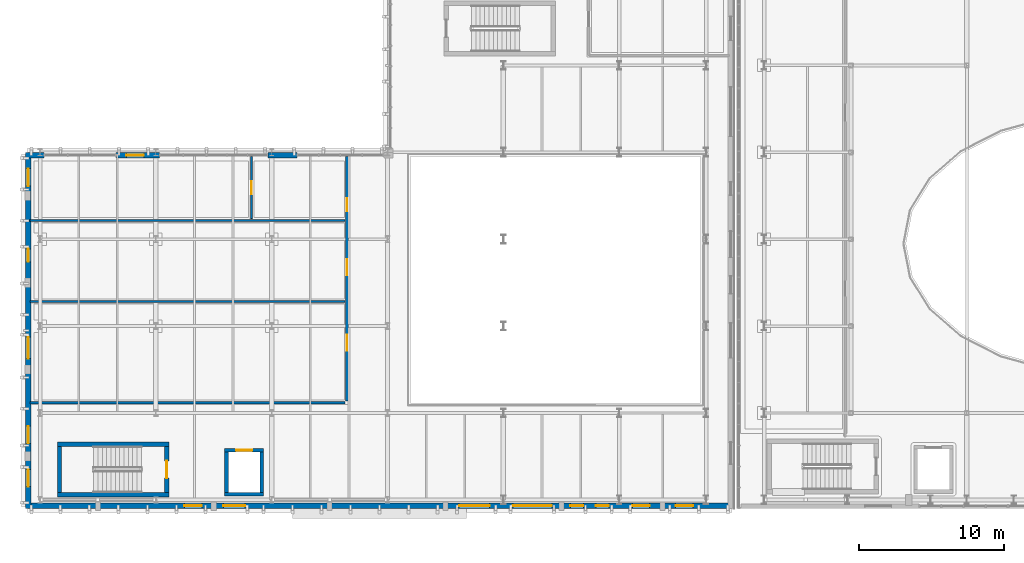
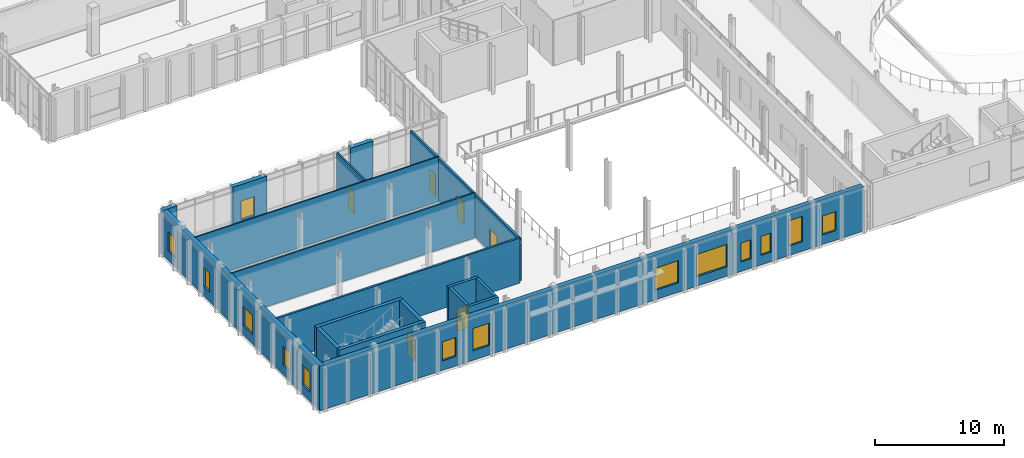
# One storey, part 65 of 100: 18 walls, 14 windows, 6 doors, 20 openings.
"""IFC4 building model written with IfcOpenShell, lengths in metres."""

import ifcopenshell
import ifcopenshell.guid

model = None  # the IFC model being written
_history = None  # IfcOwnerHistory: only IFC2X3 demands one
_inside = {}  # id of a spatial element -> (the spatial element, [elements in it])
_under = {}  # id of a project, library or spatial element -> (it, [spatial elements below it])
_declared = {}  # id of a project -> (the project, [libraries it declares])
_typed = {}  # id of a type object -> (the type object, [elements of that type])
_made_of = {}  # id of a material, layer set ... -> (it, [elements and type objects made of it])


def new_model(schema):
    """Start an empty IFC model of exactly this schema.

    Asked for "IFC4X3", IfcOpenShell would pick the latest addendum, in which some entities
    have other attributes; the version numbers below select the first issue.
    IFC2X3 requires an IfcOwnerHistory on every rooted entity: one is made here for all.
    """
    global model, _history
    if schema == "IFC4X3":
        model = ifcopenshell.file(schema_version=(4, 3, 0, 0))
    else:
        model = ifcopenshell.file(schema=schema)
    _inside.clear()
    _under.clear()
    _declared.clear()
    _typed.clear()
    _made_of.clear()
    _history = None
    if model.schema == "IFC2X3":
        org = make("IfcOrganization", Name="unknown")
        user = make(
            "IfcPersonAndOrganization",
            ThePerson=make("IfcPerson", FamilyName="unknown"),
            TheOrganization=org,
        )
        app = make(
            "IfcApplication",
            ApplicationDeveloper=org,
            Version="unknown",
            ApplicationFullName="unknown",
            ApplicationIdentifier="unknown",
        )
        _history = make(
            "IfcOwnerHistory",
            OwningUser=user,
            OwningApplication=app,
            ChangeAction="ADDED",
            CreationDate=0,
        )
    return model


def make(cls, **values):
    """One entity of the class cls with the attributes given. An attribute that is None is left unset."""
    return model.create_entity(
        cls, **{name: value for name, value in values.items() if value is not None}
    )


def rooted(cls, **values):
    """An entity with a GlobalId (a new one), such as an element, a storey or a relation."""
    return make(cls, GlobalId=ifcopenshell.guid.new(), OwnerHistory=_history, **values)


def si_unit(unit_type, name, prefix=None):
    """IfcSIUnit, for example si_unit("LENGTHUNIT", "METRE", prefix="MILLI")."""
    return make("IfcSIUnit", UnitType=unit_type, Prefix=prefix, Name=name)


def assignment(units):
    """IfcUnitAssignment: the units of a project."""
    return None if units is None else make("IfcUnitAssignment", Units=units)


def point(xyz):
    """IfcCartesianPoint."""
    return None if xyz is None else make("IfcCartesianPoint", Coordinates=xyz)


def direction(xyz):
    """IfcDirection."""
    return None if xyz is None else make("IfcDirection", DirectionRatios=xyz)


def frame(location, z_axis=None, x_axis=None):
    """IfcAxis2Placement3D, a coordinate frame: its origin and axes. An axis left out is left unset."""
    return make(
        "IfcAxis2Placement3D",
        Location=point(location),
        Axis=direction(z_axis),
        RefDirection=direction(x_axis),
    )


def frame_2d(location, x_axis=None):
    """IfcAxis2Placement2D, a coordinate frame in the plane: its origin and x axis."""
    return make(
        "IfcAxis2Placement2D", Location=point(location), RefDirection=direction(x_axis)
    )


def origin():
    """The frame at (0, 0, 0) with its axes left unset."""
    return frame((0.0, 0.0, 0.0))


def place(relative_to, where):
    """IfcLocalPlacement: puts the frame where relative to a parent placement (None: the world)."""
    return make(
        "IfcLocalPlacement", PlacementRelTo=relative_to, RelativePlacement=where
    )


def context(
    kind, dimensions, precision=None, world=None, true_north=None, identifier=None
):
    """IfcGeometricRepresentationContext, for example the 3D "Model" context."""
    return make(
        "IfcGeometricRepresentationContext",
        ContextIdentifier=identifier,
        ContextType=kind,
        CoordinateSpaceDimension=dimensions,
        Precision=precision,
        WorldCoordinateSystem=world,
        TrueNorth=true_north,
    )


def subcontext(parent, identifier, kind, view, scale=None):
    """IfcGeometricRepresentationSubContext, for example "Body" below "Model"."""
    return make(
        "IfcGeometricRepresentationSubContext",
        ContextIdentifier=identifier,
        ContextType=kind,
        ParentContext=parent,
        TargetScale=scale,
        TargetView=view,
    )


def project(units=None, contexts=None):
    """IfcProject with its units and contexts."""
    return rooted(
        "IfcProject",
        Name="project",
        RepresentationContexts=contexts,
        UnitsInContext=assignment(units),
    )


def spatial(cls, under=None, at=None, **own):
    """A site, building, storey or space (cls), placed at a placement, below another one or the project."""
    s = rooted(cls, ObjectPlacement=at, **own)
    if under is not None:
        _under.setdefault(under.id(), (under, []))[1].append(s)
    return s


def profile(cls, at=None, kind="AREA", **sizes):
    """A parametric profile (cls). Its sizes go by their IFC names, for example OverallWidth=200.0."""
    return make(cls, ProfileType=kind, Position=at, **sizes)


def rectangle(**sizes):
    """IfcRectangleProfileDef."""
    return profile("IfcRectangleProfileDef", **sizes)


def extrude(swept, where, along, depth):
    """IfcExtrudedAreaSolid: the profile swept, set in the frame where, extruded along a direction by depth."""
    return make(
        "IfcExtrudedAreaSolid",
        SweptArea=swept,
        Position=where,
        ExtrudedDirection=direction(along),
        Depth=depth,
    )


def shape(context_of_items, identifier, shape_type, items):
    """IfcShapeRepresentation: the items that make up one representation, for example the "Body"."""
    return make(
        "IfcShapeRepresentation",
        ContextOfItems=context_of_items,
        RepresentationIdentifier=identifier,
        RepresentationType=shape_type,
        Items=items,
    )


def material(Name=None, Category=None):
    """IfcMaterial."""
    return make("IfcMaterial", Name=Name, Category=Category)


def layer(
    of_material, thickness, ventilated=None, Name=None, Category=None, Priority=None
):
    """IfcMaterialLayer: one layer of a wall or slab, of a material (None: an air gap)."""
    return make(
        "IfcMaterialLayer",
        Material=of_material,
        LayerThickness=thickness,
        IsVentilated=ventilated,
        Name=Name,
        Category=Category,
        Priority=Priority,
    )


def layer_set(layers, Name=None):
    """IfcMaterialLayerSet."""
    return make("IfcMaterialLayerSet", MaterialLayers=layers, LayerSetName=Name)


def made_of(thing, what):
    """Note that an element or type object is made of a material, layer set ...; save() writes the relation."""
    if what is not None:
        _made_of.setdefault(what.id(), (what, []))[1].append(thing)
    return thing


def type_object(cls, material=None, **own):
    """A type object (cls), such as IfcWallType, which elements share."""
    return made_of(rooted(cls, **own), material)


def element(
    cls,
    number,
    at=None,
    inside=None,
    cuts=None,
    type_object=None,
    material=None,
    context=None,
    identifier="Body",
    shape_type=None,
    held_by="IfcProductDefinitionShape",
    body=None,
    shapes=None,
    **own,
):
    """One element of the class cls, such as IfcWall. Its Tag is "e" and its number.

    at: its placement. inside: the storey or other place that contains it. cuts: it is an
    opening in that element (IfcRelVoidsElement). A single representation is given by context,
    identifier, shape_type and body (its items); several are given by shapes. held_by: the class
    of the entity that holds the representations. save() writes the other relations.
    """
    e = rooted(cls, Tag="e%d" % number, ObjectPlacement=at, **own)
    if body is not None:
        shapes = [shape(context, identifier, shape_type, body)]
    if shapes is not None:
        e.Representation = make(held_by, Representations=shapes)
    if inside is not None:
        _inside.setdefault(inside.id(), (inside, []))[1].append(e)
    if cuts is not None:
        rooted(
            "IfcRelVoidsElement", RelatingBuildingElement=cuts, RelatedOpeningElement=e
        )
    if type_object is not None:
        _typed.setdefault(type_object.id(), (type_object, []))[1].append(e)
    return made_of(e, material)


def fill(opening, filler):
    """IfcRelFillsElement: the door or window that sits in an opening."""
    return rooted(
        "IfcRelFillsElement",
        RelatingOpeningElement=opening,
        RelatedBuildingElement=filler,
    )


def aggregate(whole, parts):
    """IfcRelAggregates: a whole, such as a stair, and the parts it consists of."""
    return rooted("IfcRelAggregates", RelatingObject=whole, RelatedObjects=parts)


def save(model, path):
    """Write the relations noted so far, then the file.

    IfcRelAggregates (storeys below a building ...), IfcRelContainedInSpatialStructure (elements
    in a storey), IfcRelDefinesByType, IfcRelAssociatesMaterial and IfcRelDeclares: one each for
    every whole, place, type object, material and project.
    """
    for whole, parts in _under.values():
        aggregate(whole, parts)
    for where, things in _inside.values():
        rooted(
            "IfcRelContainedInSpatialStructure",
            RelatedElements=things,
            RelatingStructure=where,
        )
    for kind, things in _typed.values():
        rooted("IfcRelDefinesByType", RelatedObjects=things, RelatingType=kind)
    for what, things in _made_of.values():
        rooted("IfcRelAssociatesMaterial", RelatedObjects=things, RelatingMaterial=what)
    for by, libraries in _declared.values():
        rooted("IfcRelDeclares", RelatingContext=by, RelatedDefinitions=libraries)
    model.write(path)


model = new_model("IFC4")

# Units and contexts
model_context = context("Model", 3, precision=1e-05, world=origin(), true_north=direction((0.0, 1.0)))
body_context = subcontext(model_context, "Body", "Model", "MODEL_VIEW")
ifc_project = project(units=[si_unit("LENGTHUNIT", "METRE"), si_unit("AREAUNIT", "SQUARE_METRE"), si_unit("VOLUMEUNIT", "CUBIC_METRE"), si_unit("PLANEANGLEUNIT", "RADIAN"), si_unit("MASSUNIT", "GRAM", prefix="KILO")], contexts=[model_context])

# Site, building, storey
site_placement = place(None, origin())
site = spatial("IfcSite", under=ifc_project, at=site_placement, CompositionType="ELEMENT")
building_placement = place(site_placement, origin())
building = spatial("IfcBuilding", under=site, at=building_placement, Name="Cymarion Research Institute", CompositionType="ELEMENT")
storey_placement = place(building_placement, frame((0.0, 0.0, 4.800048828125)))
storey = spatial("IfcBuildingStorey", under=building, at=storey_placement, Name="L01", CompositionType="ELEMENT", Elevation=4.800048828125)

# Wall, openings, windows
ifc_material_1 = material(Name="Precast concrete C40/50", Category="concrete")
ifc_layer_1 = layer(ifc_material_1, 0.3798828125)
ifc_layer_set_1 = layer_set([ifc_layer_1], Name="Precast concrete C40/50")
wall_type_1 = type_object("IfcWallType", Name="EXTERIOR WALL EW-PC380 380MM", PredefinedType="SOLIDWALL", material=ifc_layer_set_1)
wall_1_placement = place(storey_placement, frame((5.9619140625, 5.090087890625, 0.0), z_axis=(0.0, 0.0, 1.0), x_axis=(1.0, 0.0, 0.0)))
wall_1 = element("IfcWall", 1, at=wall_1_placement, inside=storey, type_object=wall_type_1, Name="L01 V3 exterior wall EW-PC380 #102", PredefinedType="SOLIDWALL", context=body_context, shape_type="SweptSolid", body=[
    extrude(rectangle(XDim=48.176025390625, YDim=0.3798828125, at=frame_2d((24.087890625, 0.0))), origin(), (0.0, 0.0, 1.0), 4.25),
])
opening_1_placement = place(wall_1_placement, frame((10.614013671875, 0.0, 0.89990234375)))
opening_1 = element("IfcOpeningElement", 2, at=opening_1_placement, cuts=wall_1, Name="Opening W01", PredefinedType="OPENING", context=body_context, shape_type="SweptSolid", body=[
    extrude(rectangle(XDim=1.199951171875, YDim=1.800048828125, at=frame_2d((0.60009765625, 0.89990234375))), frame((0.0, 0.199951171875, 0.0), z_axis=(0.0, -1.0, 0.0), x_axis=(1.0, 0.0, 0.0)), (0.0, 0.0, 1.0), 0.39990234375),
])
opening_2_placement = place(wall_1_placement, frame((13.30810546875, 0.0, 0.89990234375)))
opening_2 = element("IfcOpeningElement", 3, at=opening_2_placement, cuts=wall_1, Name="Opening W09", PredefinedType="OPENING", context=body_context, shape_type="SweptSolid", body=[
    extrude(rectangle(XDim=1.5, YDim=2.10009765625, at=frame_2d((0.75, 1.050048828125))), frame((0.0, 0.199951171875, 0.0), z_axis=(0.0, -1.0, 0.0), x_axis=(1.0, 0.0, 0.0)), (0.0, 0.0, 1.0), 0.39990234375),
])
opening_3_placement = place(wall_1_placement, frame((29.587890625, 0.0, 0.89990234375)))
opening_3 = element("IfcOpeningElement", 4, at=opening_3_placement, cuts=wall_1, Name="Opening W11", PredefinedType="OPENING", context=body_context, shape_type="SweptSolid", body=[
    extrude(rectangle(XDim=2.10009765625, YDim=2.10009765625, at=frame_2d((1.050048828125, 1.050048828125))), frame((0.0, 0.199951171875, 0.0), z_axis=(0.0, -1.0, 0.0), x_axis=(1.0, 0.0, 0.0)), (0.0, 0.0, 1.0), 0.39990234375),
])
opening_4_placement = place(wall_1_placement, frame((33.2880859375, 0.0, 0.89990234375)))
opening_4 = element("IfcOpeningElement", 5, at=opening_4_placement, cuts=wall_1, Name="Opening W13", PredefinedType="OPENING", context=body_context, shape_type="SweptSolid", body=[
    extrude(rectangle(XDim=2.699951171875, YDim=2.10009765625, at=frame_2d((1.35009765625, 1.050048828125))), frame((0.0, 0.199951171875, 0.0), z_axis=(0.0, -1.0, 0.0), x_axis=(1.0, 0.0, 0.0)), (0.0, 0.0, 1.0), 0.39990234375),
])
opening_5_placement = place(wall_1_placement, frame((37.258056640625, 0.0, 0.89990234375)))
opening_5 = element("IfcOpeningElement", 6, at=opening_5_placement, cuts=wall_1, Name="Opening W24", PredefinedType="OPENING", context=body_context, shape_type="SweptSolid", body=[
    extrude(rectangle(XDim=0.89990234375, YDim=1.800048828125, at=frame_2d((0.449951171875, 0.89990234375))), frame((0.0, 0.199951171875, 0.0), z_axis=(0.0, -1.0, 0.0), x_axis=(1.0, 0.0, 0.0)), (0.0, 0.0, 1.0), 0.39990234375),
])
opening_6_placement = place(wall_1_placement, frame((39.01806640625, 0.0, 0.89990234375)))
opening_6 = element("IfcOpeningElement", 7, at=opening_6_placement, cuts=wall_1, Name="Opening W24", PredefinedType="OPENING", context=body_context, shape_type="SweptSolid", body=[
    extrude(rectangle(XDim=0.89990234375, YDim=1.800048828125, at=frame_2d((0.449951171875, 0.89990234375))), frame((0.0, 0.199951171875, 0.0), z_axis=(0.0, -1.0, 0.0), x_axis=(1.0, 0.0, 0.0)), (0.0, 0.0, 1.0), 0.39990234375),
])
opening_7_placement = place(wall_1_placement, frame((41.5380859375, 0.0, 0.89990234375)))
opening_7 = element("IfcOpeningElement", 8, at=opening_7_placement, cuts=wall_1, Name="Opening W19", PredefinedType="OPENING", context=body_context, shape_type="SweptSolid", body=[
    extrude(rectangle(XDim=1.199951171875, YDim=2.39990234375, at=frame_2d((0.60009765625, 1.199951171875))), frame((0.0, 0.199951171875, 0.0), z_axis=(0.0, -1.0, 0.0), x_axis=(1.0, 0.0, 0.0)), (0.0, 0.0, 1.0), 0.39990234375),
])
opening_8_placement = place(wall_1_placement, frame((44.5380859375, 0.0, 0.89990234375)))
opening_8 = element("IfcOpeningElement", 9, at=opening_8_placement, cuts=wall_1, Name="Opening W01", PredefinedType="OPENING", context=body_context, shape_type="SweptSolid", body=[
    extrude(rectangle(XDim=1.199951171875, YDim=1.800048828125, at=frame_2d((0.60009765625, 0.89990234375))), frame((0.0, 0.199951171875, 0.0), z_axis=(0.0, -1.0, 0.0), x_axis=(1.0, 0.0, 0.0)), (0.0, 0.0, 1.0), 0.39990234375),
])
ifc_material_2 = material(Name="Thermally broken aluminium window with Low-E glazing", Category="aluminium")
window_type_1 = type_object("IfcWindowType", Name="THERMALLY BROKEN ALUMINIUM WINDOW W01 1200X1800", PartitioningType="SINGLE_PANEL", PredefinedType="WINDOW", material=ifc_material_2)
window_1_placement = place(opening_1_placement, origin())
window_1 = element("IfcWindow", 10, at=window_1_placement, inside=storey, type_object=window_type_1, Name="L01 V3 facade window W01 #175", OverallHeight=1.800048828125, OverallWidth=1.199951171875, PartitioningType="SINGLE_PANEL", PredefinedType="WINDOW", context=body_context, shape_type="SweptSolid", body=[
    extrude(rectangle(XDim=1.199951171875, YDim=1.800048828125, at=frame_2d((0.60009765625, 0.89990234375))), frame((0.0, 0.030029296875, 0.0), z_axis=(0.0, -1.0, 0.0), x_axis=(1.0, 0.0, 0.0)), (0.0, 0.0, 1.0), 0.06005859375),
])
fill(opening_1, window_1)
window_2_placement = place(opening_8_placement, origin())
window_2 = element("IfcWindow", 11, at=window_2_placement, inside=storey, type_object=window_type_1, Name="L01 V3 facade window W01 #182", OverallHeight=1.800048828125, OverallWidth=1.199951171875, PartitioningType="SINGLE_PANEL", PredefinedType="WINDOW", context=body_context, shape_type="SweptSolid", body=[
    extrude(rectangle(XDim=1.199951171875, YDim=1.800048828125, at=frame_2d((0.60009765625, 0.89990234375))), frame((0.0, 0.030029296875, 0.0), z_axis=(0.0, -1.0, 0.0), x_axis=(1.0, 0.0, 0.0)), (0.0, 0.0, 1.0), 0.06005859375),
])
fill(opening_8, window_2)
window_type_2 = type_object("IfcWindowType", Name="THERMALLY BROKEN ALUMINIUM WINDOW W09 1500X2100", PartitioningType="DOUBLE_PANEL_VERTICAL", PredefinedType="WINDOW", material=ifc_material_2)
window_3_placement = place(opening_2_placement, origin())
window_3 = element("IfcWindow", 12, at=window_3_placement, inside=storey, type_object=window_type_2, Name="L01 V3 facade window W09 #176", OverallHeight=2.10009765625, OverallWidth=1.5, PartitioningType="SINGLE_PANEL", PredefinedType="WINDOW", context=body_context, shape_type="SweptSolid", body=[
    extrude(rectangle(XDim=1.5, YDim=2.10009765625, at=frame_2d((0.75, 1.050048828125))), frame((0.0, 0.030029296875, 0.0), z_axis=(0.0, -1.0, 0.0), x_axis=(1.0, 0.0, 0.0)), (0.0, 0.0, 1.0), 0.06005859375),
])
fill(opening_2, window_3)
window_type_3 = type_object("IfcWindowType", Name="THERMALLY BROKEN ALUMINIUM WINDOW W11 2100X2100", PartitioningType="DOUBLE_PANEL_VERTICAL", PredefinedType="WINDOW", material=ifc_material_2)
window_4_placement = place(opening_3_placement, origin())
window_4 = element("IfcWindow", 13, at=window_4_placement, inside=storey, type_object=window_type_3, Name="L01 V3 facade window W11 #177", OverallHeight=2.10009765625, OverallWidth=2.10009765625, PartitioningType="SINGLE_PANEL", PredefinedType="WINDOW", context=body_context, shape_type="SweptSolid", body=[
    extrude(rectangle(XDim=2.10009765625, YDim=2.10009765625, at=frame_2d((1.050048828125, 1.050048828125))), frame((0.0, 0.030029296875, 0.0), z_axis=(0.0, -1.0, 0.0), x_axis=(1.0, 0.0, 0.0)), (0.0, 0.0, 1.0), 0.06005859375),
])
fill(opening_3, window_4)
window_type_4 = type_object("IfcWindowType", Name="THERMALLY BROKEN ALUMINIUM WINDOW W13 2700X2100", PartitioningType="TRIPLE_PANEL_VERTICAL", PredefinedType="WINDOW", material=ifc_material_2)
window_5_placement = place(opening_4_placement, origin())
window_5 = element("IfcWindow", 14, at=window_5_placement, inside=storey, type_object=window_type_4, Name="L01 V3 facade window W13 #178", OverallHeight=2.10009765625, OverallWidth=2.699951171875, PartitioningType="SINGLE_PANEL", PredefinedType="WINDOW", context=body_context, shape_type="SweptSolid", body=[
    extrude(rectangle(XDim=2.699951171875, YDim=2.10009765625, at=frame_2d((1.35009765625, 1.050048828125))), frame((0.0, 0.030029296875, 0.0), z_axis=(0.0, -1.0, 0.0), x_axis=(1.0, 0.0, 0.0)), (0.0, 0.0, 1.0), 0.06005859375),
])
fill(opening_4, window_5)
window_type_5 = type_object("IfcWindowType", Name="THERMALLY BROKEN ALUMINIUM WINDOW W19 1200X2400", PartitioningType="SINGLE_PANEL", PredefinedType="WINDOW", material=ifc_material_2)
window_6_placement = place(opening_7_placement, origin())
window_6 = element("IfcWindow", 15, at=window_6_placement, inside=storey, type_object=window_type_5, Name="L01 V3 facade window W19 #181", OverallHeight=2.39990234375, OverallWidth=1.199951171875, PartitioningType="SINGLE_PANEL", PredefinedType="WINDOW", context=body_context, shape_type="SweptSolid", body=[
    extrude(rectangle(XDim=1.199951171875, YDim=2.39990234375, at=frame_2d((0.60009765625, 1.199951171875))), frame((0.0, 0.030029296875, 0.0), z_axis=(0.0, -1.0, 0.0), x_axis=(1.0, 0.0, 0.0)), (0.0, 0.0, 1.0), 0.06005859375),
])
fill(opening_7, window_6)
window_type_6 = type_object("IfcWindowType", Name="THERMALLY BROKEN ALUMINIUM WINDOW W24 900X1800", PartitioningType="SINGLE_PANEL", PredefinedType="WINDOW", material=ifc_material_2)
window_7_placement = place(opening_5_placement, origin())
window_7 = element("IfcWindow", 16, at=window_7_placement, inside=storey, type_object=window_type_6, Name="L01 V3 facade window W24 #179", OverallHeight=1.800048828125, OverallWidth=0.89990234375, PartitioningType="SINGLE_PANEL", PredefinedType="WINDOW", context=body_context, shape_type="SweptSolid", body=[
    extrude(rectangle(XDim=0.89990234375, YDim=1.800048828125, at=frame_2d((0.449951171875, 0.89990234375))), frame((0.0, 0.030029296875, 0.0), z_axis=(0.0, -1.0, 0.0), x_axis=(1.0, 0.0, 0.0)), (0.0, 0.0, 1.0), 0.06005859375),
])
fill(opening_5, window_7)
window_8_placement = place(opening_6_placement, origin())
window_8 = element("IfcWindow", 17, at=window_8_placement, inside=storey, type_object=window_type_6, Name="L01 V3 facade window W24 #180", OverallHeight=1.800048828125, OverallWidth=0.89990234375, PartitioningType="SINGLE_PANEL", PredefinedType="WINDOW", context=body_context, shape_type="SweptSolid", body=[
    extrude(rectangle(XDim=0.89990234375, YDim=1.800048828125, at=frame_2d((0.449951171875, 0.89990234375))), frame((0.0, 0.030029296875, 0.0), z_axis=(0.0, -1.0, 0.0), x_axis=(1.0, 0.0, 0.0)), (0.0, 0.0, 1.0), 0.06005859375),
])
fill(opening_6, window_8)

# Wall
wall_2_placement = place(storey_placement, frame((24.35009765625, 29.31005859375, 0.0), z_axis=(0.0, 0.0, 1.0), x_axis=(-1.0, 0.0, 0.0)))
element("IfcWall", 18, at=wall_2_placement, inside=storey, type_object=wall_type_1, Name="L01 V3 facade pier wall EW-PC380 #107", PredefinedType="SOLIDWALL", context=body_context, shape_type="SweptSolid", body=[
    extrude(rectangle(XDim=2.010009765625, YDim=0.3798828125, at=frame_2d((1.0048828125, 0.0))), origin(), (0.0, 0.0, 1.0), 4.25),
])

# Wall, opening, window
wall_3_placement = place(storey_placement, frame((14.860107421875, 29.31005859375, 0.0), z_axis=(0.0, 0.0, 1.0), x_axis=(-1.0, 0.0, 0.0)))
wall_3 = element("IfcWall", 19, at=wall_3_placement, inside=storey, type_object=wall_type_1, Name="L01 V3 facade pier wall EW-PC380 #108", PredefinedType="SOLIDWALL", context=body_context, shape_type="SweptSolid", body=[
    extrude(rectangle(XDim=3.010009765625, YDim=0.3798828125, at=frame_2d((1.5048828125, 0.0))), origin(), (0.0, 0.0, 1.0), 4.25),
])
opening_9_placement = place(wall_3_placement, frame((1.094970703125, 0.0, 0.89990234375)))
opening_9 = element("IfcOpeningElement", 20, at=opening_9_placement, cuts=wall_3, Name="Opening W01", PredefinedType="OPENING", context=body_context, shape_type="SweptSolid", body=[
    extrude(rectangle(XDim=1.199951171875, YDim=1.800048828125, at=frame_2d((0.60009765625, 0.89990234375))), frame((0.0, 0.199951171875, 0.0), z_axis=(0.0, -1.0, 0.0), x_axis=(1.0, 0.0, 0.0)), (0.0, 0.0, 1.0), 0.39990234375),
])
window_9_placement = place(opening_9_placement, origin())
window_9 = element("IfcWindow", 21, at=window_9_placement, inside=storey, type_object=window_type_1, Name="L01 V3 facade window W01 #194", OverallHeight=1.800048828125, OverallWidth=1.199951171875, PartitioningType="SINGLE_PANEL", PredefinedType="WINDOW", context=body_context, shape_type="SweptSolid", body=[
    extrude(rectangle(XDim=1.199951171875, YDim=1.800048828125, at=frame_2d((0.60009765625, 0.89990234375))), frame((0.0, 0.030029296875, 0.0), z_axis=(0.0, -1.0, 0.0), x_axis=(1.0, 0.0, 0.0)), (0.0, 0.0, 1.0), 0.06005859375),
])
fill(opening_9, window_9)

# Wall
wall_4_placement = place(storey_placement, frame((6.860107421875, 29.31005859375, 0.0), z_axis=(0.0, 0.0, 1.0), x_axis=(-1.0, 0.0, 0.0)))
element("IfcWall", 22, at=wall_4_placement, inside=storey, type_object=wall_type_1, Name="L01 V3 facade pier wall EW-PC380 #109", PredefinedType="SOLIDWALL", context=body_context, shape_type="SweptSolid", body=[
    extrude(rectangle(XDim=1.260009765625, YDim=0.3798828125, at=frame_2d((0.6298828125, 0.0))), origin(), (0.0, 0.0, 1.0), 4.25),
])

# Wall, openings, windows
wall_5_placement = place(storey_placement, frame((5.7900390625, 29.137939453125, 0.0), z_axis=(0.0, 0.0, 1.0), x_axis=(0.0, -1.0, 0.0)))
wall_5 = element("IfcWall", 23, at=wall_5_placement, inside=storey, type_object=wall_type_1, Name="L01 V3 exterior wall EW-PC380 #110", PredefinedType="SOLIDWALL", context=body_context, shape_type="SweptSolid", body=[
    extrude(rectangle(XDim=24.238037109375, YDim=0.3798828125, at=frame_2d((12.119140625, 0.0))), origin(), (0.0, 0.0, 1.0), 4.25),
])
opening_10_placement = place(wall_5_placement, frame((0.76904296875, 0.0, 0.89990234375)))
opening_10 = element("IfcOpeningElement", 24, at=opening_10_placement, cuts=wall_5, Name="Opening W01", PredefinedType="OPENING", context=body_context, shape_type="SweptSolid", body=[
    extrude(rectangle(XDim=1.199951171875, YDim=1.800048828125, at=frame_2d((0.60009765625, 0.89990234375))), frame((0.0, 0.199951171875, 0.0), z_axis=(0.0, -1.0, 0.0), x_axis=(1.0, 0.0, 0.0)), (0.0, 0.0, 1.0), 0.39990234375),
])
opening_11_placement = place(wall_5_placement, frame((6.30810546875, 0.0, 0.89990234375)))
opening_11 = element("IfcOpeningElement", 25, at=opening_11_placement, cuts=wall_5, Name="Opening W24", PredefinedType="OPENING", context=body_context, shape_type="SweptSolid", body=[
    extrude(rectangle(XDim=0.89990234375, YDim=1.800048828125, at=frame_2d((0.449951171875, 0.89990234375))), frame((0.0, 0.199951171875, 0.0), z_axis=(0.0, -1.0, 0.0), x_axis=(1.0, 0.0, 0.0)), (0.0, 0.0, 1.0), 0.39990234375),
])
opening_12_placement = place(wall_5_placement, frame((12.387939453125, 0.0, 0.89990234375)))
opening_12 = element("IfcOpeningElement", 26, at=opening_12_placement, cuts=wall_5, Name="Opening W02", PredefinedType="OPENING", context=body_context, shape_type="SweptSolid", body=[
    extrude(rectangle(XDim=1.5, YDim=1.800048828125, at=frame_2d((0.75, 0.89990234375))), frame((0.0, 0.199951171875, 0.0), z_axis=(0.0, -1.0, 0.0), x_axis=(1.0, 0.0, 0.0)), (0.0, 0.0, 1.0), 0.39990234375),
])
opening_13_placement = place(wall_5_placement, frame((18.5380859375, 0.0, 0.89990234375)))
opening_13 = element("IfcOpeningElement", 27, at=opening_13_placement, cuts=wall_5, Name="Opening W01", PredefinedType="OPENING", context=body_context, shape_type="SweptSolid", body=[
    extrude(rectangle(XDim=1.199951171875, YDim=1.800048828125, at=frame_2d((0.60009765625, 0.89990234375))), frame((0.0, 0.199951171875, 0.0), z_axis=(0.0, -1.0, 0.0), x_axis=(1.0, 0.0, 0.0)), (0.0, 0.0, 1.0), 0.39990234375),
])
opening_14_placement = place(wall_5_placement, frame((21.528076171875, 0.0, 0.89990234375)))
opening_14 = element("IfcOpeningElement", 28, at=opening_14_placement, cuts=wall_5, Name="Opening W01", PredefinedType="OPENING", context=body_context, shape_type="SweptSolid", body=[
    extrude(rectangle(XDim=1.199951171875, YDim=1.800048828125, at=frame_2d((0.60009765625, 0.89990234375))), frame((0.0, 0.199951171875, 0.0), z_axis=(0.0, -1.0, 0.0), x_axis=(1.0, 0.0, 0.0)), (0.0, 0.0, 1.0), 0.39990234375),
])
window_10_placement = place(opening_10_placement, origin())
window_10 = element("IfcWindow", 29, at=window_10_placement, inside=storey, type_object=window_type_1, Name="L01 V3 facade window W01 #195", OverallHeight=1.800048828125, OverallWidth=1.199951171875, PartitioningType="SINGLE_PANEL", PredefinedType="WINDOW", context=body_context, shape_type="SweptSolid", body=[
    extrude(rectangle(XDim=1.199951171875, YDim=1.800048828125, at=frame_2d((0.60009765625, 0.89990234375))), frame((0.0, 0.030029296875, 0.0), z_axis=(0.0, -1.0, 0.0), x_axis=(1.0, 0.0, 0.0)), (0.0, 0.0, 1.0), 0.06005859375),
])
fill(opening_10, window_10)
window_11_placement = place(opening_13_placement, origin())
window_11 = element("IfcWindow", 30, at=window_11_placement, inside=storey, type_object=window_type_1, Name="L01 V3 facade window W01 #198", OverallHeight=1.800048828125, OverallWidth=1.199951171875, PartitioningType="SINGLE_PANEL", PredefinedType="WINDOW", context=body_context, shape_type="SweptSolid", body=[
    extrude(rectangle(XDim=1.199951171875, YDim=1.800048828125, at=frame_2d((0.60009765625, 0.89990234375))), frame((0.0, 0.030029296875, 0.0), z_axis=(0.0, -1.0, 0.0), x_axis=(1.0, 0.0, 0.0)), (0.0, 0.0, 1.0), 0.06005859375),
])
fill(opening_13, window_11)
window_12_placement = place(opening_14_placement, origin())
window_12 = element("IfcWindow", 31, at=window_12_placement, inside=storey, type_object=window_type_1, Name="L01 V3 facade window W01 #199", OverallHeight=1.800048828125, OverallWidth=1.199951171875, PartitioningType="SINGLE_PANEL", PredefinedType="WINDOW", context=body_context, shape_type="SweptSolid", body=[
    extrude(rectangle(XDim=1.199951171875, YDim=1.800048828125, at=frame_2d((0.60009765625, 0.89990234375))), frame((0.0, 0.030029296875, 0.0), z_axis=(0.0, -1.0, 0.0), x_axis=(1.0, 0.0, 0.0)), (0.0, 0.0, 1.0), 0.06005859375),
])
fill(opening_14, window_12)
window_type_7 = type_object("IfcWindowType", Name="THERMALLY BROKEN ALUMINIUM WINDOW W02 1500X1800", PartitioningType="DOUBLE_PANEL_VERTICAL", PredefinedType="WINDOW", material=ifc_material_2)
window_13_placement = place(opening_12_placement, origin())
window_13 = element("IfcWindow", 32, at=window_13_placement, inside=storey, type_object=window_type_7, Name="L01 V3 facade window W02 #197", OverallHeight=1.800048828125, OverallWidth=1.5, PartitioningType="SINGLE_PANEL", PredefinedType="WINDOW", context=body_context, shape_type="SweptSolid", body=[
    extrude(rectangle(XDim=1.5, YDim=1.800048828125, at=frame_2d((0.75, 0.89990234375))), frame((0.0, 0.030029296875, 0.0), z_axis=(0.0, -1.0, 0.0), x_axis=(1.0, 0.0, 0.0)), (0.0, 0.0, 1.0), 0.06005859375),
])
fill(opening_12, window_13)
window_14_placement = place(opening_11_placement, origin())
window_14 = element("IfcWindow", 33, at=window_14_placement, inside=storey, type_object=window_type_6, Name="L01 V3 facade window W24 #196", OverallHeight=1.800048828125, OverallWidth=0.89990234375, PartitioningType="SINGLE_PANEL", PredefinedType="WINDOW", context=body_context, shape_type="SweptSolid", body=[
    extrude(rectangle(XDim=0.89990234375, YDim=1.800048828125, at=frame_2d((0.449951171875, 0.89990234375))), frame((0.0, 0.030029296875, 0.0), z_axis=(0.0, -1.0, 0.0), x_axis=(1.0, 0.0, 0.0)), (0.0, 0.0, 1.0), 0.06005859375),
])
fill(opening_11, window_14)

# Walls
ifc_material_3 = material(Name="Gypsum acoustic double-stud partition", Category="gypsum")
ifc_layer_2 = layer(ifc_material_3, 0.14990234375)
ifc_layer_set_2 = layer_set([ifc_layer_2], Name="Gypsum acoustic double-stud partition")
wall_type_2 = type_object("IfcWallType", Name="INTERIOR PARTITION IW-AC150 150MM", PredefinedType="PARTITIONING", material=ifc_layer_set_2)
wall_6_placement = place(storey_placement, frame((5.905029296875, 19.199951171875, 0.0), z_axis=(0.0, 0.0, 1.0), x_axis=(1.0, 0.0, 0.0)))
element("IfcWall", 34, at=wall_6_placement, inside=storey, type_object=wall_type_2, Name="L01 V3 interior partition IW-AC150 #127", PredefinedType="PARTITIONING", context=body_context, shape_type="SweptSolid", body=[
    extrude(rectangle(XDim=21.7548828125, YDim=0.14990234375, at=frame_2d((10.87744140625, 0.0))), origin(), (0.0, 0.0, 1.0), 4.25),
])
ifc_material_4 = material(Name="Moisture-resistant laboratory partition", Category="gypsum")
ifc_layer_3 = layer(ifc_material_4, 0.179931640625)
ifc_layer_set_3 = layer_set([ifc_layer_3], Name="Moisture-resistant laboratory partition")
wall_type_3 = type_object("IfcWallType", Name="INTERIOR PARTITION IW-LB180 180MM", PredefinedType="PARTITIONING", material=ifc_layer_set_3)
wall_7_placement = place(storey_placement, frame((5.905029296875, 12.199951171875, 0.0), z_axis=(0.0, 0.0, 1.0), x_axis=(1.0, 0.0, 0.0)))
element("IfcWall", 35, at=wall_7_placement, inside=storey, type_object=wall_type_3, Name="L01 V3 interior partition IW-LB180 #126", PredefinedType="PARTITIONING", context=body_context, shape_type="SweptSolid", body=[
    extrude(rectangle(XDim=21.7548828125, YDim=0.179931640625, at=frame_2d((10.87744140625, 0.0))), origin(), (0.0, 0.0, 1.0), 4.25),
])

# Wall, openings, doors
wall_8_placement = place(storey_placement, frame((27.800048828125, 12.340087890625, 0.0), z_axis=(0.0, 0.0, 1.0), x_axis=(0.0, 1.0, 0.0)))
wall_8 = element("IfcWall", 36, at=wall_8_placement, inside=storey, type_object=wall_type_3, Name="L01 V3 interior partition IW-LB180 #130", PredefinedType="PARTITIONING", context=body_context, shape_type="SweptSolid", body=[
    extrude(rectangle(XDim=16.85498046875, YDim=0.179931640625, at=frame_2d((8.427490234375, 0.0))), origin(), (0.0, 0.0, 1.0), 4.010009765625),
])
opening_15_placement = place(wall_8_placement, frame((3.466064453125, 0.0, 0.0)))
opening_15 = element("IfcOpeningElement", 37, at=opening_15_placement, cuts=wall_8, Name="Opening D-L01-090", PredefinedType="OPENING", context=body_context, shape_type="SweptSolid", body=[
    extrude(rectangle(XDim=1.10009765625, YDim=2.14990234375, at=frame_2d((0.550048828125, 1.074951171875))), frame((0.0, 0.099853515625, 0.0), z_axis=(0.0, -1.0, 0.0), x_axis=(1.0, 0.0, 0.0)), (0.0, 0.0, 1.0), 0.199951171875),
])
opening_16_placement = place(wall_8_placement, frame((8.6650390625, 0.0, 0.0)))
opening_16 = element("IfcOpeningElement", 38, at=opening_16_placement, cuts=wall_8, Name="Opening D-L01-091", PredefinedType="OPENING", context=body_context, shape_type="SweptSolid", body=[
    extrude(rectangle(XDim=1.10009765625, YDim=2.14990234375, at=frame_2d((0.550048828125, 1.074951171875))), frame((0.0, 0.099853515625, 0.0), z_axis=(0.0, -1.0, 0.0), x_axis=(1.0, 0.0, 0.0)), (0.0, 0.0, 1.0), 0.199951171875),
])
opening_17_placement = place(wall_8_placement, frame((13.0830078125, 0.0, 0.0)))
opening_17 = element("IfcOpeningElement", 39, at=opening_17_placement, cuts=wall_8, Name="Opening D-L01-092", PredefinedType="OPENING", context=body_context, shape_type="SweptSolid", body=[
    extrude(rectangle(XDim=0.89990234375, YDim=2.10009765625, at=frame_2d((0.449951171875, 1.050048828125))), frame((0.0, 0.099853515625, 0.0), z_axis=(0.0, -1.0, 0.0), x_axis=(1.0, 0.0, 0.0)), (0.0, 0.0, 1.0), 0.199951171875),
])
ifc_material_5 = material(Name="Flush acoustic timber/steel door assembly", Category="steel")
door_type_1 = type_object("IfcDoorType", Name="ACCESSIBLE RESTROOM DOOR DT-WC090 900X2100", OperationType="NOTDEFINED", PredefinedType="DOOR", material=ifc_material_5)
door_1_placement = place(opening_17_placement, origin())
door_1 = element("IfcDoor", 40, at=door_1_placement, inside=storey, type_object=door_type_1, Name="L01 Restroom door D-L01-092", OperationType="SINGLE_SWING_LEFT", OverallHeight=2.10009765625, OverallWidth=0.89990234375, PredefinedType="DOOR", context=body_context, shape_type="SweptSolid", body=[
    extrude(rectangle(XDim=0.89990234375, YDim=2.10009765625, at=frame_2d((0.449951171875, 1.050048828125))), frame((0.0, 0.02490234375, 0.0), z_axis=(0.0, -1.0, 0.0), x_axis=(1.0, 0.0, 0.0)), (0.0, 0.0, 1.0), 0.050048828125),
])
fill(opening_17, door_1)
door_type_2 = type_object("IfcDoorType", Name="LABORATORY WIDE SINGLE DOOR DT-LB110 1100X2150", OperationType="NOTDEFINED", PredefinedType="DOOR", material=ifc_material_5)
door_2_placement = place(opening_15_placement, origin())
door_2 = element("IfcDoor", 41, at=door_2_placement, inside=storey, type_object=door_type_2, Name="L01 Teaching Lab 1 door D-L01-090", OperationType="SINGLE_SWING_LEFT", OverallHeight=2.14990234375, OverallWidth=1.10009765625, PredefinedType="DOOR", context=body_context, shape_type="SweptSolid", body=[
    extrude(rectangle(XDim=1.10009765625, YDim=2.14990234375, at=frame_2d((0.550048828125, 1.074951171875))), frame((0.0, 0.02490234375, 0.0), z_axis=(0.0, -1.0, 0.0), x_axis=(1.0, 0.0, 0.0)), (0.0, 0.0, 1.0), 0.050048828125),
])
fill(opening_15, door_2)
door_3_placement = place(opening_16_placement, origin())
door_3 = element("IfcDoor", 42, at=door_3_placement, inside=storey, type_object=door_type_2, Name="L01 Teaching Lab 2 door D-L01-091", OperationType="SINGLE_SWING_RIGHT", OverallHeight=2.14990234375, OverallWidth=1.10009765625, PredefinedType="DOOR", context=body_context, shape_type="SweptSolid", body=[
    extrude(rectangle(XDim=1.10009765625, YDim=2.14990234375, at=frame_2d((0.550048828125, 1.074951171875))), frame((0.0, 0.02490234375, 0.0), z_axis=(0.0, -1.0, 0.0), x_axis=(1.0, 0.0, 0.0)), (0.0, 0.0, 1.0), 0.050048828125),
])
fill(opening_16, door_3)

# Wall
ifc_material_6 = material(Name="Service riser shaft wall", Category="gypsum")
ifc_layer_4 = layer(ifc_material_6, 0.1201171875)
ifc_layer_set_4 = layer_set([ifc_layer_4], Name="Service riser shaft wall")
wall_type_4 = type_object("IfcWallType", Name="INTERIOR PARTITION IW-SH120 120MM", PredefinedType="PARTITIONING", material=ifc_layer_set_4)
wall_9_placement = place(storey_placement, frame((5.905029296875, 24.800048828125, 0.0), z_axis=(0.0, 0.0, 1.0), x_axis=(1.0, 0.0, 0.0)))
element("IfcWall", 43, at=wall_9_placement, inside=storey, type_object=wall_type_4, Name="L01 V3 interior partition IW-SH120 #128", PredefinedType="PARTITIONING", context=body_context, shape_type="SweptSolid", body=[
    extrude(rectangle(XDim=21.7548828125, YDim=0.1201171875, at=frame_2d((10.87744140625, 0.0))), origin(), (0.0, 0.0, 1.0), 4.25),
])

# Wall, opening, door
wall_10_placement = place(storey_placement, frame((21.199951171875, 24.919921875, 0.0), z_axis=(0.0, 0.0, 1.0), x_axis=(0.0, 1.0, 0.0)))
wall_10 = element("IfcWall", 44, at=wall_10_placement, inside=storey, type_object=wall_type_4, Name="L01 V3 interior partition IW-SH120 #129", PredefinedType="PARTITIONING", context=body_context, shape_type="SweptSolid", body=[
    extrude(rectangle(XDim=4.275146484375, YDim=0.1201171875, at=frame_2d((2.1376953125, 0.0))), origin(), (0.0, 0.0, 1.0), 4.25),
])
opening_18_placement = place(wall_10_placement, frame((1.68701171875, 0.0, 0.0)))
opening_18 = element("IfcOpeningElement", 45, at=opening_18_placement, cuts=wall_10, Name="Opening D-L01-089", PredefinedType="OPENING", context=body_context, shape_type="SweptSolid", body=[
    extrude(rectangle(XDim=0.89990234375, YDim=2.10009765625, at=frame_2d((0.449951171875, 1.050048828125))), frame((0.0, 0.070068359375, 0.0), z_axis=(0.0, -1.0, 0.0), x_axis=(1.0, 0.0, 0.0)), (0.0, 0.0, 1.0), 0.14013671875),
])
door_type_3 = type_object("IfcDoorType", Name="RESEARCH WRITE-UP OFFICE DOOR DT-OF090 900X2100", OperationType="NOTDEFINED", PredefinedType="DOOR", material=ifc_material_5)
door_4_placement = place(opening_18_placement, origin())
door_4 = element("IfcDoor", 46, at=door_4_placement, inside=storey, type_object=door_type_3, Name="L01 Symposium Cloakroom door D-L01-089", OperationType="SINGLE_SWING_RIGHT", OverallHeight=2.10009765625, OverallWidth=0.89990234375, PredefinedType="DOOR", context=body_context, shape_type="SweptSolid", body=[
    extrude(rectangle(XDim=0.89990234375, YDim=2.10009765625, at=frame_2d((0.449951171875, 1.050048828125))), frame((0.0, 0.02490234375, 0.0), z_axis=(0.0, -1.0, 0.0), x_axis=(1.0, 0.0, 0.0)), (0.0, 0.0, 1.0), 0.050048828125),
])
fill(opening_18, door_4)

# Wall
ifc_material_7 = material(Name="Concrete C40/50", Category="concrete")
ifc_layer_5 = layer(ifc_material_7, 0.25)
ifc_layer_set_5 = layer_set([ifc_layer_5], Name="Concrete C40/50")
wall_type_5 = type_object("IfcWallType", Name="REINFORCED CONCRETE CORE WALL CW-SH250 250MM", PredefinedType="SHEAR", material=ifc_layer_set_5)
wall_11_placement = place(storey_placement, frame((19.35009765625, 5.875, 0.0), z_axis=(0.0, 0.0, 1.0), x_axis=(1.0, 0.0, 0.0)))
element("IfcWall", 47, at=wall_11_placement, inside=storey, type_object=wall_type_5, Name="L01 LSH-LP3-L01 south core wall", PredefinedType="SHEAR", context=body_context, shape_type="SweptSolid", body=[
    extrude(rectangle(XDim=2.699951171875, YDim=0.25, at=frame_2d((1.35009765625, 0.0))), origin(), (0.0, 0.0, 1.0), 4.5),
])

# Wall, opening, door
wall_12_placement = place(storey_placement, frame((22.050048828125, 8.925048828125, 0.0), z_axis=(0.0, 0.0, 1.0), x_axis=(-1.0, 0.0, 0.0)))
wall_12 = element("IfcWall", 48, at=wall_12_placement, inside=storey, type_object=wall_type_5, Name="L01 LSH-LP3-L01 north core wall", PredefinedType="SHEAR", context=body_context, shape_type="SweptSolid", body=[
    extrude(rectangle(XDim=2.699951171875, YDim=0.25, at=frame_2d((1.35009765625, 0.0))), origin(), (0.0, 0.0, 1.0), 4.5),
])
opening_19_placement = place(wall_12_placement, frame((0.800048828125, 0.0, 0.0)))
opening_19 = element("IfcOpeningElement", 49, at=opening_19_placement, cuts=wall_12, Name="Opening LD-LP3-L01", PredefinedType="OPENING", context=body_context, shape_type="SweptSolid", body=[
    extrude(rectangle(XDim=1.10009765625, YDim=2.14990234375, at=frame_2d((0.550048828125, 1.074951171875))), frame((0.0, 0.135009765625, 0.0), z_axis=(0.0, -1.0, 0.0), x_axis=(1.0, 0.0, 0.0)), (0.0, 0.0, 1.0), 0.27001953125),
])
ifc_material_8 = material(Name="Fire-rated insulated steel door assembly", Category="steel")
door_type_4 = type_object("IfcDoorType", Name="SLIDING LIFT LANDING DOOR DT-LD110 1100X2150", OperationType="DOUBLE_DOOR_SLIDING", PredefinedType="DOOR", material=ifc_material_8)
door_5_placement = place(opening_19_placement, origin())
door_5 = element("IfcDoor", 50, at=door_5_placement, inside=storey, type_object=door_type_4, Name="Lift LP3 landing door L01", OperationType="DOUBLE_DOOR_SLIDING", OverallHeight=2.14990234375, OverallWidth=1.10009765625, PredefinedType="DOOR", context=body_context, shape_type="SweptSolid", body=[
    extrude(rectangle(XDim=1.10009765625, YDim=2.14990234375, at=frame_2d((0.550048828125, 1.074951171875))), frame((0.0, 0.02490234375, 0.0), z_axis=(0.0, -1.0, 0.0), x_axis=(1.0, 0.0, 0.0)), (0.0, 0.0, 1.0), 0.050048828125),
])
fill(opening_19, door_5)

# Walls
for number, where, z_axis, x_axis, name in (
    (51, (19.47509765625, 8.800048828125, 0.0), (0.0, 0.0, 1.0), (0.0, -1.0, 0.0), "L01 LSH-LP3-L01 west core wall"),
    (52, (21.925048828125, 6.0, 0.0), (0.0, 0.0, 1.0), (0.0, 1.0, 0.0), "L01 LSH-LP3-L01 east core wall"),
):
    element("IfcWall", number, at=place(storey_placement, frame(where, z_axis=z_axis, x_axis=x_axis)), inside=storey, type_object=wall_type_5, Name=name, PredefinedType="SHEAR", context=body_context, shape_type="SweptSolid", body=[
        extrude(rectangle(XDim=2.800048828125, YDim=0.25, at=frame_2d((1.39990234375, 0.0))), origin(), (0.0, 0.0, 1.0), 4.5),
    ])
ifc_layer_6 = layer(ifc_material_7, 0.300048828125)
ifc_layer_set_6 = layer_set([ifc_layer_6], Name="Concrete C40/50")
wall_type_6 = type_object("IfcWallType", Name="REINFORCED CONCRETE CORE WALL CW-SH300 300MM", PredefinedType="SHEAR", material=ifc_layer_set_6)
for number, where, z_axis, x_axis, name in (
    (53, (7.800048828125, 5.85009765625, 0.0), (0.0, 0.0, 1.0), (1.0, 0.0, 0.0), "L01 SHW-C5-L01 south core wall"),
    (54, (15.5, 9.35009765625, 0.0), (0.0, 0.0, 1.0), (-1.0, 0.0, 0.0), "L01 SHW-C5-L01 north core wall"),
):
    element("IfcWall", number, at=place(storey_placement, frame(where, z_axis=z_axis, x_axis=x_axis)), inside=storey, type_object=wall_type_6, Name=name, PredefinedType="SHEAR", context=body_context, shape_type="SweptSolid", body=[
        extrude(rectangle(XDim=7.699951171875, YDim=0.300048828125, at=frame_2d((3.85009765625, 0.0))), origin(), (0.0, 0.0, 1.0), 4.5),
    ])
wall_13_placement = place(storey_placement, frame((7.949951171875, 9.199951171875, 0.0), z_axis=(0.0, 0.0, 1.0), x_axis=(0.0, -1.0, 0.0)))
element("IfcWall", 55, at=wall_13_placement, inside=storey, type_object=wall_type_6, Name="L01 SHW-C5-L01 west core wall", PredefinedType="SHEAR", context=body_context, shape_type="SweptSolid", body=[
    extrude(rectangle(XDim=3.199951171875, YDim=0.300048828125, at=frame_2d((1.60009765625, 0.0))), origin(), (0.0, 0.0, 1.0), 4.5),
])

# Wall, opening, door
wall_14_placement = place(storey_placement, frame((15.35009765625, 6.0, 0.0), z_axis=(0.0, 0.0, 1.0), x_axis=(0.0, 1.0, 0.0)))
wall_14 = element("IfcWall", 56, at=wall_14_placement, inside=storey, type_object=wall_type_6, Name="L01 SHW-C5-L01 east core wall", PredefinedType="SHEAR", context=body_context, shape_type="SweptSolid", body=[
    extrude(rectangle(XDim=3.199951171875, YDim=0.300048828125, at=frame_2d((1.60009765625, 0.0))), origin(), (0.0, 0.0, 1.0), 4.5),
])
opening_20_placement = place(wall_14_placement, frame((1.0, 0.0, 0.0)))
opening_20 = element("IfcOpeningElement", 57, at=opening_20_placement, cuts=wall_14, Name="Opening FD-L01-ST5", PredefinedType="OPENING", context=body_context, shape_type="SweptSolid", body=[
    extrude(rectangle(XDim=1.199951171875, YDim=2.14990234375, at=frame_2d((0.60009765625, 1.074951171875))), frame((0.0, 0.159912109375, 0.0), z_axis=(0.0, -1.0, 0.0), x_axis=(1.0, 0.0, 0.0)), (0.0, 0.0, 1.0), 0.320068359375),
])
door_type_5 = type_object("IfcDoorType", Name="SMOKE PROOF STAIR FIRE DOOR DT-ST120 1200X2150", OperationType="NOTDEFINED", PredefinedType="DOOR", material=ifc_material_8)
door_6_placement = place(opening_20_placement, origin())
door_6 = element("IfcDoor", 58, at=door_6_placement, inside=storey, type_object=door_type_5, Name="L01 ST5 smoke-proof stair door FD-L01-ST5", OperationType="SINGLE_SWING_LEFT", OverallHeight=2.14990234375, OverallWidth=1.199951171875, PredefinedType="DOOR", context=body_context, shape_type="SweptSolid", body=[
    extrude(rectangle(XDim=1.199951171875, YDim=2.14990234375, at=frame_2d((0.60009765625, 1.074951171875))), frame((0.0, 0.02490234375, 0.0), z_axis=(0.0, -1.0, 0.0), x_axis=(1.0, 0.0, 0.0)), (0.0, 0.0, 1.0), 0.050048828125),
])
fill(opening_20, door_6)

save(model, "model.ifc")
